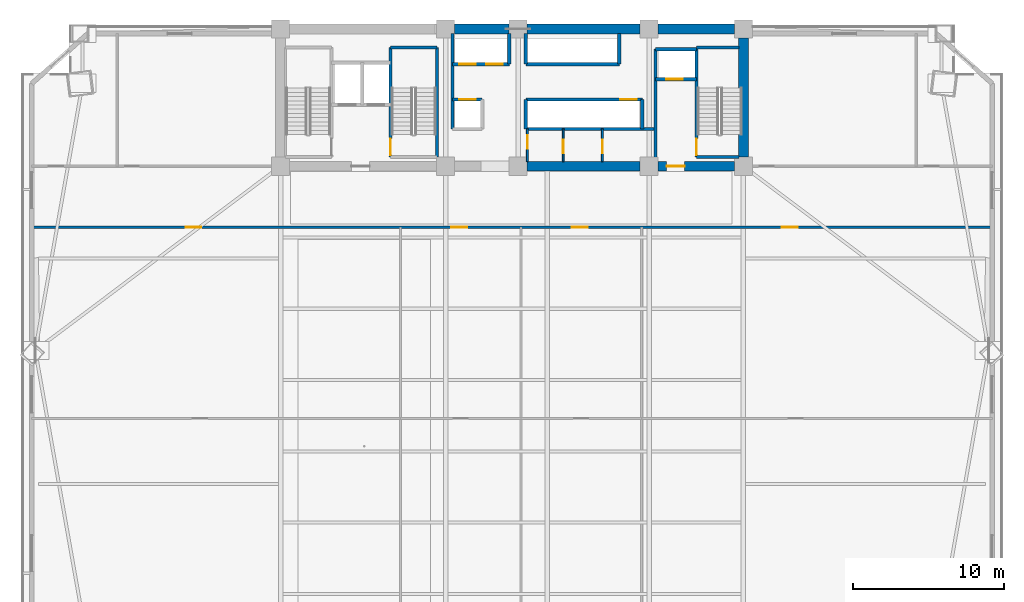
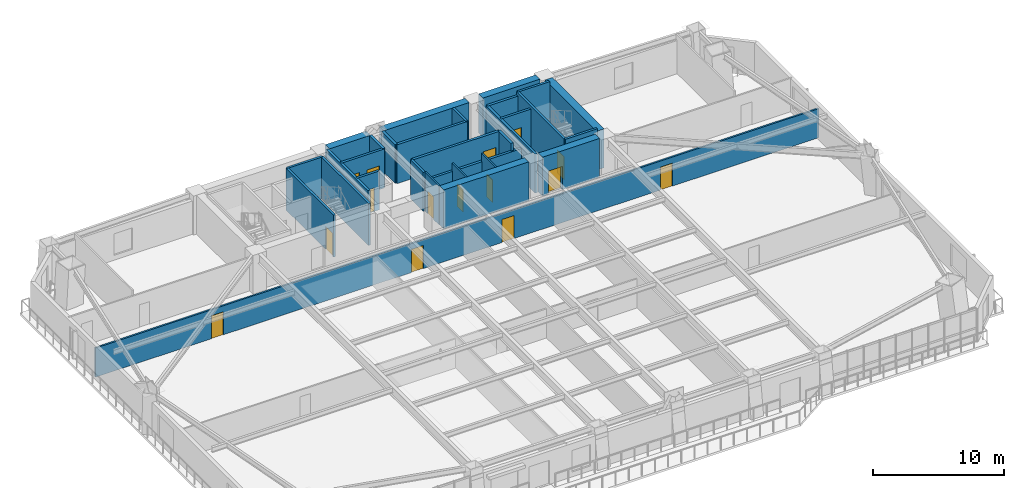
# One storey, part 10 of 17: 30 walls, 15 doors, 15 openings.
"""IFC4 building model written with IfcOpenShell, lengths in metres."""

from ifc_helpers import new_model, si_unit, direction, frame, frame_2d, origin, place, context, subcontext, project, spatial, rectangle, extrude, source, transform, mapped, material, layer, layer_set, type_object, element, fill, save


model = new_model("IFC4")

# Units and contexts
model_context = context("Model", 3, precision=1e-05, world=origin(), true_north=direction((0.0, 1.0)))
body_context = subcontext(model_context, "Body", "Model", "MODEL_VIEW")
ifc_project = project(units=[si_unit("LENGTHUNIT", "METRE"), si_unit("AREAUNIT", "SQUARE_METRE"), si_unit("VOLUMEUNIT", "CUBIC_METRE"), si_unit("PLANEANGLEUNIT", "RADIAN"), si_unit("MASSUNIT", "GRAM", prefix="KILO")], contexts=[model_context])

# Site, building, storey
site_placement = place(None, origin())
site = spatial("IfcSite", under=ifc_project, at=site_placement, CompositionType="ELEMENT")
building_placement = place(site_placement, origin())
building = spatial("IfcBuilding", under=site, at=building_placement, Name="Giltprow Tower", CompositionType="ELEMENT")
storey_placement = place(building_placement, frame((0.0, 0.0, 44.89990234375)))
storey = spatial("IfcBuildingStorey", under=building, at=storey_placement, Name="L11", CompositionType="ELEMENT", Elevation=44.89990234375)

# Wall, openings, doors
ifc_material_1 = material(Name="Gypsum stud partition", Category="gypsum")
ifc_layer_1 = layer(ifc_material_1, 0.14990234375, Name="Gypsum stud partition")
ifc_layer_set_1 = layer_set([ifc_layer_1], Name="Gypsum stud partition")
wall_type_1 = type_object("IfcWallType", Name="IW-CORR-150", PredefinedType="PARTITIONING", material=ifc_layer_set_1)
wall_1_placement = place(storey_placement, frame((3.3349609375, 33.39990234375, 0.0), z_axis=(0.0, 0.0, 1.0), x_axis=(1.0, 0.0, 0.0)))
wall_1 = element("IfcWall", 1, at=wall_1_placement, inside=storey, type_object=wall_type_1, Name="L11 Office Loop Corridor Wall", PredefinedType="PARTITIONING", context=body_context, shape_type="SweptSolid", body=[
    extrude(rectangle(XDim=63.72998046875, YDim=0.14990234375, at=frame_2d((31.864990234375, 0.0))), origin(), (0.0, 0.0, 1.0), 2.705078125),
])
opening_1_placement = place(wall_1_placement, frame((10.212890625, 0.0, 0.0)))
opening_1 = element("IfcOpeningElement", 2, at=opening_1_placement, cuts=wall_1, Name="Opening ID31", PredefinedType="OPENING", context=body_context, shape_type="SweptSolid", body=[
    extrude(rectangle(XDim=1.050048828125, YDim=2.14990234375, at=frame_2d((0.52490234375, 1.074951171875))), frame((0.0, 0.0849609375, 0.0), z_axis=(0.0, -1.0, 0.0), x_axis=(1.0, 0.0, 0.0)), (0.0, 0.0, 1.0), 0.169921875),
])
opening_2_placement = place(wall_1_placement, frame((27.8310546875, 0.0, 0.0)))
opening_2 = element("IfcOpeningElement", 3, at=opening_2_placement, cuts=wall_1, Name="Opening ID31", PredefinedType="OPENING", context=body_context, shape_type="SweptSolid", body=[
    extrude(rectangle(XDim=1.050048828125, YDim=2.14990234375, at=frame_2d((0.52490234375, 1.074951171875))), frame((0.0, 0.0849609375, 0.0), z_axis=(0.0, -1.0, 0.0), x_axis=(1.0, 0.0, 0.0)), (0.0, 0.0, 1.0), 0.169921875),
])
opening_3_placement = place(wall_1_placement, frame((35.8310546875, 0.0, 0.0)))
opening_3 = element("IfcOpeningElement", 4, at=opening_3_placement, cuts=wall_1, Name="Opening ID31", PredefinedType="OPENING", context=body_context, shape_type="SweptSolid", body=[
    extrude(rectangle(XDim=1.050048828125, YDim=2.14990234375, at=frame_2d((0.52490234375, 1.074951171875))), frame((0.0, 0.0849609375, 0.0), z_axis=(0.0, -1.0, 0.0), x_axis=(1.0, 0.0, 0.0)), (0.0, 0.0, 1.0), 0.169921875),
])
opening_4_placement = place(wall_1_placement, frame((49.762939453125, 0.0, 0.0)))
opening_4 = element("IfcOpeningElement", 5, at=opening_4_placement, cuts=wall_1, Name="Opening ID31", PredefinedType="OPENING", context=body_context, shape_type="SweptSolid", body=[
    extrude(rectangle(XDim=1.050048828125, YDim=2.14990234375, at=frame_2d((0.52490234375, 1.074951171875))), frame((0.0, 0.0849609375, 0.0), z_axis=(0.0, -1.0, 0.0), x_axis=(1.0, 0.0, 0.0)), (0.0, 0.0, 1.0), 0.169921875),
])
ifc_material_2 = material(Name="Engineered timber", Category="wood")
door_type_1 = type_object("IfcDoorType", Name="DR-SUITE-1050", OperationType="SINGLE_SWING_LEFT", PredefinedType="DOOR", material=ifc_material_2)
shared_shape_1 = source(origin(), body_context, "Body", "SweptSolid", [
    extrude(rectangle(XDim=1.050048828125, YDim=2.14990234375, at=frame_2d((0.52490234375, 1.074951171875))), frame((0.0, 0.02490234375, 0.0), z_axis=(0.0, -1.0, 0.0), x_axis=(1.0, 0.0, 0.0)), (0.0, 0.0, 1.0), 0.050048828125),
])
door_1_placement = place(opening_1_placement, origin())
door_1 = element("IfcDoor", 6, at=door_1_placement, inside=storey, type_object=door_type_1, Name="L11 Suite Reception Foyer Door", OperationType="SINGLE_SWING_RIGHT", OverallHeight=2.14990234375, OverallWidth=1.050048828125, PredefinedType="DOOR", context=body_context, shape_type="MappedRepresentation", body=[
    mapped(shared_shape_1, transform((0.0, 0.0, 0.0), x_axis=(1.0, 0.0, 0.0), y_axis=(0.0, 1.0, 0.0), z_axis=(0.0, 0.0, 1.0), scale=1.0)),
])
fill(opening_1, door_1)
door_2_placement = place(opening_2_placement, origin())
door_2 = element("IfcDoor", 7, at=door_2_placement, inside=storey, type_object=door_type_1, Name="L11 Suite Reception Foyer Door", OperationType="SINGLE_SWING_RIGHT", OverallHeight=2.14990234375, OverallWidth=1.050048828125, PredefinedType="DOOR", context=body_context, shape_type="MappedRepresentation", body=[
    mapped(shared_shape_1, transform((0.0, 0.0, 0.0), x_axis=(1.0, 0.0, 0.0), y_axis=(0.0, 1.0, 0.0), z_axis=(0.0, 0.0, 1.0), scale=1.0)),
])
fill(opening_2, door_2)
door_3_placement = place(opening_3_placement, origin())
door_3 = element("IfcDoor", 8, at=door_3_placement, inside=storey, type_object=door_type_1, Name="L11 Suite Reception Foyer Door", OperationType="SINGLE_SWING_RIGHT", OverallHeight=2.14990234375, OverallWidth=1.050048828125, PredefinedType="DOOR", context=body_context, shape_type="MappedRepresentation", body=[
    mapped(shared_shape_1, transform((0.0, 0.0, 0.0), x_axis=(1.0, 0.0, 0.0), y_axis=(0.0, 1.0, 0.0), z_axis=(0.0, 0.0, 1.0), scale=1.0)),
])
fill(opening_3, door_3)
door_4_placement = place(opening_4_placement, origin())
door_4 = element("IfcDoor", 9, at=door_4_placement, inside=storey, type_object=door_type_1, Name="L11 Suite Reception Foyer Door", OperationType="SINGLE_SWING_RIGHT", OverallHeight=2.14990234375, OverallWidth=1.050048828125, PredefinedType="DOOR", context=body_context, shape_type="MappedRepresentation", body=[
    mapped(shared_shape_1, transform((0.0, 0.0, 0.0), x_axis=(1.0, 0.0, 0.0), y_axis=(0.0, 1.0, 0.0), z_axis=(0.0, 0.0, 1.0), scale=1.0)),
])
fill(opening_4, door_4)

# Wall, opening, door
ifc_material_3 = material(Name="Concrete C40", Category="concrete")
ifc_layer_2 = layer(ifc_material_3, 0.219970703125, Name="Concrete C40")
ifc_layer_set_2 = layer_set([ifc_layer_2], Name="Concrete C40")
wall_type_2 = type_object("IfcWallType", Name="IW-SHAFT-220", PredefinedType="SOLIDWALL", material=ifc_layer_set_2)
wall_2_placement = place(storey_placement, frame((44.719970703125, 43.219970703125, 0.0), z_axis=(0.0, 0.0, 1.0), x_axis=(1.0, 0.0, 0.0)))
wall_2 = element("IfcWall", 10, at=wall_2_placement, inside=storey, type_object=wall_type_2, Name="L11 FFL2 Front Shaft Wall", PredefinedType="SOLIDWALL", context=body_context, shape_type="SweptSolid", body=[
    extrude(rectangle(XDim=2.719970703125, YDim=0.219970703125, at=frame_2d((1.35986328125, 0.0))), origin(), (0.0, 0.0, 1.0), 3.6201171875),
])
opening_5_placement = place(wall_2_placement, frame((0.699951171875, 0.0, 0.0)))
opening_5 = element("IfcOpeningElement", 11, at=opening_5_placement, cuts=wall_2, Name="Opening LD-11", PredefinedType="OPENING", context=body_context, shape_type="SweptSolid", body=[
    extrude(rectangle(XDim=1.10009765625, YDim=2.199951171875, at=frame_2d((0.550048828125, 1.10009765625))), frame((0.0, 0.119873046875, 0.0), z_axis=(0.0, -1.0, 0.0), x_axis=(1.0, 0.0, 0.0)), (0.0, 0.0, 1.0), 0.239990234375),
])
ifc_material_4 = material(Name="Stainless steel", Category="steel")
door_type_2 = type_object("IfcDoorType", Name="DR-LIFT-LD1100", OperationType="SLIDING_TO_LEFT", PredefinedType="DOOR", material=ifc_material_4)
shared_shape_2 = source(origin(), body_context, "Body", "SweptSolid", [
    extrude(rectangle(XDim=1.10009765625, YDim=2.199951171875, at=frame_2d((0.550048828125, 1.10009765625))), frame((0.0, 0.02490234375, 0.0), z_axis=(0.0, -1.0, 0.0), x_axis=(1.0, 0.0, 0.0)), (0.0, 0.0, 1.0), 0.050048828125),
])
door_5_placement = place(opening_5_placement, origin())
door_5 = element("IfcDoor", 12, at=door_5_placement, inside=storey, type_object=door_type_2, Name="L11 FFL2 Landing Door", OperationType="SLIDING_TO_LEFT", OverallHeight=2.199951171875, OverallWidth=1.10009765625, PredefinedType="DOOR", context=body_context, shape_type="MappedRepresentation", body=[
    mapped(shared_shape_2, transform((0.0, 0.0, 0.0), x_axis=(1.0, 0.0, 0.0), y_axis=(0.0, 1.0, 0.0), z_axis=(0.0, 0.0, 1.0), scale=1.0)),
])
fill(opening_5, door_5)

# Walls
wall_3_placement = place(storey_placement, frame((44.719970703125, 45.219970703125, 0.0), z_axis=(0.0, 0.0, 1.0), x_axis=(1.0, 0.0, 0.0)))
element("IfcWall", 13, at=wall_3_placement, inside=storey, type_object=wall_type_2, Name="L11 FFL2 Back Shaft Wall", PredefinedType="SOLIDWALL", context=body_context, shape_type="SweptSolid", body=[
    extrude(rectangle(XDim=2.719970703125, YDim=0.219970703125, at=frame_2d((1.35986328125, 0.0))), origin(), (0.0, 0.0, 1.0), 3.6201171875),
])
wall_4_placement = place(storey_placement, frame((44.719970703125, 37.7548828125, 0.0), z_axis=(0.0, 0.0, 1.0), x_axis=(0.0, 1.0, 0.0)))
element("IfcWall", 14, at=wall_4_placement, inside=storey, type_object=wall_type_2, Name="L11 East Firefighting Lobby West Wall", PredefinedType="SOLIDWALL", context=body_context, shape_type="SweptSolid", body=[
    extrude(rectangle(XDim=7.465087890625, YDim=0.219970703125, at=frame_2d((3.732421875, 0.0))), origin(), (0.0, 0.0, 1.0), 3.6201171875),
])

# Wall, openings, doors
wall_5_placement = place(storey_placement, frame((31.25, 44.219970703125, 0.0), z_axis=(0.0, 0.0, 1.0), x_axis=(1.0, 0.0, 0.0)))
wall_5 = element("IfcWall", 15, at=wall_5_placement, inside=storey, type_object=wall_type_2, Name="L11 North West Lift Shaft Front Wall", PredefinedType="SOLIDWALL", context=body_context, shape_type="SweptSolid", body=[
    extrude(rectangle(XDim=3.77001953125, YDim=0.219970703125, at=frame_2d((1.885009765625, 0.0))), origin(), (0.0, 0.0, 1.0), 3.6201171875),
])
opening_6_placement = place(wall_5_placement, frame((0.4599609375, 0.0, 0.0)))
opening_6 = element("IfcOpeningElement", 16, at=opening_6_placement, cuts=wall_5, Name="Opening LD-11", PredefinedType="OPENING", context=body_context, shape_type="SweptSolid", body=[
    extrude(rectangle(XDim=1.10009765625, YDim=2.199951171875, at=frame_2d((0.550048828125, 1.10009765625))), frame((0.0, 0.119873046875, 0.0), z_axis=(0.0, -1.0, 0.0), x_axis=(1.0, 0.0, 0.0)), (0.0, 0.0, 1.0), 0.239990234375),
])
opening_7_placement = place(wall_5_placement, frame((2.239990234375, 0.0, 0.0)))
opening_7 = element("IfcOpeningElement", 17, at=opening_7_placement, cuts=wall_5, Name="Opening LD-11", PredefinedType="OPENING", context=body_context, shape_type="SweptSolid", body=[
    extrude(rectangle(XDim=1.10009765625, YDim=2.199951171875, at=frame_2d((0.550048828125, 1.10009765625))), frame((0.0, 0.119873046875, 0.0), z_axis=(0.0, -1.0, 0.0), x_axis=(1.0, 0.0, 0.0)), (0.0, 0.0, 1.0), 0.239990234375),
])
door_6_placement = place(opening_6_placement, origin())
door_6 = element("IfcDoor", 18, at=door_6_placement, inside=storey, type_object=door_type_2, Name="L11 PL-L1 Landing Door", OperationType="SLIDING_TO_LEFT", OverallHeight=2.199951171875, OverallWidth=1.10009765625, PredefinedType="DOOR", context=body_context, shape_type="MappedRepresentation", body=[
    mapped(shared_shape_2, transform((0.0, 0.0, 0.0), x_axis=(1.0, 0.0, 0.0), y_axis=(0.0, 1.0, 0.0), z_axis=(0.0, 0.0, 1.0), scale=1.0)),
])
fill(opening_6, door_6)
door_7_placement = place(opening_7_placement, origin())
door_7 = element("IfcDoor", 19, at=door_7_placement, inside=storey, type_object=door_type_2, Name="L11 PL-L2 Landing Door", OperationType="SLIDING_TO_LEFT", OverallHeight=2.199951171875, OverallWidth=1.10009765625, PredefinedType="DOOR", context=body_context, shape_type="MappedRepresentation", body=[
    mapped(shared_shape_2, transform((0.0, 0.0, 0.0), x_axis=(1.0, 0.0, 0.0), y_axis=(0.0, 1.0, 0.0), z_axis=(0.0, 0.0, 1.0), scale=1.0)),
])
fill(opening_7, door_7)

# Walls
wall_6_placement = place(storey_placement, frame((36.1201171875, 44.219970703125, 0.0), z_axis=(0.0, 0.0, 1.0), x_axis=(1.0, 0.0, 0.0)))
element("IfcWall", 20, at=wall_6_placement, inside=storey, type_object=wall_type_2, Name="L11 North East Lift Shaft Front Wall", PredefinedType="SOLIDWALL", context=body_context, shape_type="SweptSolid", body=[
    extrude(rectangle(XDim=6.199951171875, YDim=0.219970703125, at=frame_2d((3.10009765625, 0.0))), origin(), (0.0, 0.0, 1.0), 3.6201171875),
])
for number, where, z_axis, x_axis, name in (
    (21, (35.02001953125, 44.219970703125, 0.0), (0.0, 0.0, 1.0), (0.0, 1.0, 0.0), "L11 North West Lift Shaft East Closure"),
    (22, (36.1201171875, 44.219970703125, 0.0), (0.0, 0.0, 1.0), (0.0, 1.0, 0.0), "L11 North East Lift Shaft West Closure"),
    (23, (42.320068359375, 44.219970703125, 0.0), (0.0, 0.0, 1.0), (0.0, 1.0, 0.0), "L11 North East Lift Shaft East Closure"),
):
    element("IfcWall", number, at=place(storey_placement, frame(where, z_axis=z_axis, x_axis=x_axis)), inside=storey, type_object=wall_type_2, Name=name, PredefinedType="SOLIDWALL", context=body_context, shape_type="SweptSolid", body=[
        extrude(rectangle(XDim=2.025146484375, YDim=0.219970703125, at=frame_2d((1.0126953125, 0.0))), origin(), (0.0, 0.0, 1.0), 3.6201171875),
    ])

# Wall, opening, door
wall_7_placement = place(storey_placement, frame((31.25, 41.8798828125, 0.0), z_axis=(0.0, 0.0, 1.0), x_axis=(1.0, 0.0, 0.0)))
wall_7 = element("IfcWall", 24, at=wall_7_placement, inside=storey, type_object=wall_type_2, Name="L11 South West Lift Shaft Front Wall", PredefinedType="SOLIDWALL", context=body_context, shape_type="SweptSolid", body=[
    extrude(rectangle(XDim=1.969970703125, YDim=0.219970703125, at=frame_2d((0.98486328125, 0.0))), origin(), (0.0, 0.0, 1.0), 3.6201171875),
])
opening_8_placement = place(wall_7_placement, frame((0.4599609375, 0.0, 0.0)))
opening_8 = element("IfcOpeningElement", 25, at=opening_8_placement, cuts=wall_7, Name="Opening LD-11", PredefinedType="OPENING", context=body_context, shape_type="SweptSolid", body=[
    extrude(rectangle(XDim=1.10009765625, YDim=2.199951171875, at=frame_2d((0.550048828125, 1.10009765625))), frame((0.0, 0.119873046875, 0.0), z_axis=(0.0, -1.0, 0.0), x_axis=(1.0, 0.0, 0.0)), (0.0, 0.0, 1.0), 0.239990234375),
])
door_8_placement = place(opening_8_placement, origin())
door_8 = element("IfcDoor", 26, at=door_8_placement, inside=storey, type_object=door_type_2, Name="L11 PL-L3 Landing Door", OperationType="SLIDING_TO_LEFT", OverallHeight=2.199951171875, OverallWidth=1.10009765625, PredefinedType="DOOR", context=body_context, shape_type="MappedRepresentation", body=[
    mapped(shared_shape_2, transform((0.0, 0.0, 0.0), x_axis=(1.0, 0.0, 0.0), y_axis=(0.0, 1.0, 0.0), z_axis=(0.0, 0.0, 1.0), scale=1.0)),
])
fill(opening_8, door_8)

wall_8_placement = place(storey_placement, frame((36.1201171875, 41.8798828125, 0.0), z_axis=(0.0, 0.0, 1.0), x_axis=(1.0, 0.0, 0.0)))
wall_8 = element("IfcWall", 27, at=wall_8_placement, inside=storey, type_object=wall_type_2, Name="L11 South East Lift Shaft Front Wall", PredefinedType="SOLIDWALL", context=body_context, shape_type="SweptSolid", body=[
    extrude(rectangle(XDim=7.72998046875, YDim=0.219970703125, at=frame_2d((3.864990234375, 0.0))), origin(), (0.0, 0.0, 1.0), 3.6201171875),
])
opening_9_placement = place(wall_8_placement, frame((6.260009765625, 0.0, 0.0)))
opening_9 = element("IfcOpeningElement", 28, at=opening_9_placement, cuts=wall_8, Name="Opening LD-11", PredefinedType="OPENING", context=body_context, shape_type="SweptSolid", body=[
    extrude(rectangle(XDim=1.10009765625, YDim=2.199951171875, at=frame_2d((0.550048828125, 1.10009765625))), frame((0.0, 0.119873046875, 0.0), z_axis=(0.0, -1.0, 0.0), x_axis=(1.0, 0.0, 0.0)), (0.0, 0.0, 1.0), 0.239990234375),
])
door_9_placement = place(opening_9_placement, origin())
door_9 = element("IfcDoor", 29, at=door_9_placement, inside=storey, type_object=door_type_2, Name="L11 PL-L4 Landing Door", OperationType="SLIDING_TO_LEFT", OverallHeight=2.199951171875, OverallWidth=1.10009765625, PredefinedType="DOOR", context=body_context, shape_type="MappedRepresentation", body=[
    mapped(shared_shape_2, transform((0.0, 0.0, 0.0), x_axis=(1.0, 0.0, 0.0), y_axis=(0.0, 1.0, 0.0), z_axis=(0.0, 0.0, 1.0), scale=1.0)),
])
fill(opening_9, door_9)

# Walls
wall_9_placement = place(storey_placement, frame((36.1201171875, 39.919921875, 0.0), z_axis=(0.0, 0.0, 1.0), x_axis=(1.0, 0.0, 0.0)))
element("IfcWall", 30, at=wall_9_placement, inside=storey, type_object=wall_type_2, Name="L11 Express South Shaft Back Wall", PredefinedType="SOLIDWALL", context=body_context, shape_type="SweptSolid", body=[
    extrude(rectangle(XDim=8.599853515625, YDim=0.219970703125, at=frame_2d((4.2998046875, 0.0))), origin(), (0.0, 0.0, 1.0), 2.905029296875),
])
wall_10_placement = place(storey_placement, frame((36.1201171875, 39.919921875, 0.0), z_axis=(0.0, 0.0, 1.0), x_axis=(0.0, 1.0, 0.0)))
element("IfcWall", 31, at=wall_10_placement, inside=storey, type_object=wall_type_2, Name="L11 Express South Shaft West Closure", PredefinedType="SOLIDWALL", context=body_context, shape_type="SweptSolid", body=[
    extrude(rectangle(XDim=1.9599609375, YDim=0.219970703125, at=frame_2d((0.97998046875, 0.0))), origin(), (0.0, 0.0, 1.0), 3.6201171875),
])
wall_11_placement = place(storey_placement, frame((31.25, 39.919921875, 0.0), z_axis=(0.0, 0.0, 1.0), x_axis=(0.0, 1.0, 0.0)))
element("IfcWall", 32, at=wall_11_placement, inside=storey, type_object=wall_type_2, Name="L11 Lift Bank West Closure", PredefinedType="SOLIDWALL", context=body_context, shape_type="SweptSolid", body=[
    extrude(rectangle(XDim=6.3251953125, YDim=0.219970703125, at=frame_2d((3.16259765625, 0.0))), origin(), (0.0, 0.0, 1.0), 3.6201171875),
])
wall_12_placement = place(storey_placement, frame((43.85009765625, 39.919921875, 0.0), z_axis=(0.0, 0.0, 1.0), x_axis=(0.0, 1.0, 0.0)))
element("IfcWall", 33, at=wall_12_placement, inside=storey, type_object=wall_type_2, Name="L11 Lift Bank South-East Closure", PredefinedType="SOLIDWALL", context=body_context, shape_type="SweptSolid", body=[
    extrude(rectangle(XDim=1.9599609375, YDim=0.219970703125, at=frame_2d((0.97998046875, 0.0))), origin(), (0.0, 0.0, 1.0), 3.6201171875),
])

# Wall, opening, door
ifc_layer_3 = layer(ifc_material_3, 0.199951171875, Name="Concrete C40")
ifc_layer_set_3 = layer_set([ifc_layer_3], Name="Concrete C40")
wall_type_3 = type_object("IfcWallType", Name="IW-STAIR-200", PredefinedType="SOLIDWALL", material=ifc_layer_set_3)
wall_13_placement = place(storey_placement, frame((27.139892578125, 38.070068359375, 0.0), z_axis=(0.0, 0.0, 1.0), x_axis=(0.0, 1.0, 0.0)))
wall_13 = element("IfcWall", 34, at=wall_13_placement, inside=storey, type_object=wall_type_3, Name="L11 Stair ST-2 West Bearing Wall", PredefinedType="SOLIDWALL", context=body_context, shape_type="SweptSolid", body=[
    extrude(rectangle(XDim=7.25, YDim=0.199951171875, at=frame_2d((3.625, 0.0))), origin(), (0.0, 0.0, 1.0), 3.900146484375),
])
opening_10_placement = place(wall_13_placement, frame((0.110107421875, 0.0, 0.0)))
opening_10 = element("IfcOpeningElement", 35, at=opening_10_placement, cuts=wall_13, Name="Opening ID33", PredefinedType="OPENING", context=body_context, shape_type="SweptSolid", body=[
    extrude(rectangle(XDim=1.10009765625, YDim=2.14990234375, at=frame_2d((0.550048828125, 1.074951171875))), frame((0.0, 0.10986328125, 0.0), z_axis=(0.0, -1.0, 0.0), x_axis=(1.0, 0.0, 0.0)), (0.0, 0.0, 1.0), 0.219970703125),
])
ifc_material_5 = material(Name="Steel fire leaf", Category="steel")
door_type_3 = type_object("IfcDoorType", Name="DR-STAIR-1100", OperationType="SINGLE_SWING_LEFT", PredefinedType="DOOR", material=ifc_material_5)
shared_shape_3 = source(origin(), body_context, "Body", "SweptSolid", [
    extrude(rectangle(XDim=1.10009765625, YDim=2.14990234375, at=frame_2d((0.550048828125, 1.074951171875))), frame((0.0, 0.02490234375, 0.0), z_axis=(0.0, -1.0, 0.0), x_axis=(1.0, 0.0, 0.0)), (0.0, 0.0, 1.0), 0.050048828125),
])
door_10_placement = place(opening_10_placement, origin())
door_10 = element("IfcDoor", 36, at=door_10_placement, inside=storey, type_object=door_type_3, Name="L11 Stair ST-2 Fire Door", OperationType="SINGLE_SWING_LEFT", OverallHeight=2.14990234375, OverallWidth=1.10009765625, PredefinedType="DOOR", context=body_context, shape_type="MappedRepresentation", body=[
    mapped(shared_shape_3, transform((0.0, 0.0, 0.0), x_axis=(1.0, 0.0, 0.0), y_axis=(0.0, 1.0, 0.0), z_axis=(0.0, 0.0, 1.0), scale=1.0)),
])
fill(opening_10, door_10)

# Walls
wall_14_placement = place(storey_placement, frame((30.219970703125, 38.070068359375, 0.0), z_axis=(0.0, 0.0, 1.0), x_axis=(0.0, 1.0, 0.0)))
element("IfcWall", 37, at=wall_14_placement, inside=storey, type_object=wall_type_3, Name="L11 Stair ST-2 East Bearing Wall", PredefinedType="SOLIDWALL", context=body_context, shape_type="SweptSolid", body=[
    extrude(rectangle(XDim=7.25, YDim=0.199951171875, at=frame_2d((3.625, 0.0))), origin(), (0.0, 0.0, 1.0), 3.900146484375),
])
wall_15_placement = place(storey_placement, frame((27.139892578125, 45.320068359375, 0.0), z_axis=(0.0, 0.0, 1.0), x_axis=(1.0, 0.0, 0.0)))
element("IfcWall", 38, at=wall_15_placement, inside=storey, type_object=wall_type_3, Name="L11 Stair ST-2 North Bearing Wall", PredefinedType="SOLIDWALL", context=body_context, shape_type="SweptSolid", body=[
    extrude(rectangle(XDim=3.080078125, YDim=0.199951171875, at=frame_2d((1.5400390625, 0.0))), origin(), (0.0, 0.0, 1.0), 3.900146484375),
])

# Wall, opening, door
wall_16_placement = place(storey_placement, frame((47.43994140625, 38.070068359375, 0.0), z_axis=(0.0, 0.0, 1.0), x_axis=(0.0, 1.0, 0.0)))
wall_16 = element("IfcWall", 39, at=wall_16_placement, inside=storey, type_object=wall_type_3, Name="L11 Stair ST-3 West Bearing Wall", PredefinedType="SOLIDWALL", context=body_context, shape_type="SweptSolid", body=[
    extrude(rectangle(XDim=7.25, YDim=0.199951171875, at=frame_2d((3.625, 0.0))), origin(), (0.0, 0.0, 1.0), 3.900146484375),
])
opening_11_placement = place(wall_16_placement, frame((0.110107421875, 0.0, 0.0)))
opening_11 = element("IfcOpeningElement", 40, at=opening_11_placement, cuts=wall_16, Name="Opening ID33", PredefinedType="OPENING", context=body_context, shape_type="SweptSolid", body=[
    extrude(rectangle(XDim=1.10009765625, YDim=2.14990234375, at=frame_2d((0.550048828125, 1.074951171875))), frame((0.0, 0.10986328125, 0.0), z_axis=(0.0, -1.0, 0.0), x_axis=(1.0, 0.0, 0.0)), (0.0, 0.0, 1.0), 0.219970703125),
])
door_11_placement = place(opening_11_placement, origin())
door_11 = element("IfcDoor", 41, at=door_11_placement, inside=storey, type_object=door_type_3, Name="L11 Stair ST-3 Fire Door", OperationType="SINGLE_SWING_RIGHT", OverallHeight=2.14990234375, OverallWidth=1.10009765625, PredefinedType="DOOR", context=body_context, shape_type="MappedRepresentation", body=[
    mapped(shared_shape_3, transform((0.0, 0.0, 0.0), x_axis=(1.0, 0.0, 0.0), y_axis=(0.0, 1.0, 0.0), z_axis=(0.0, 0.0, 1.0), scale=1.0)),
])
fill(opening_11, door_11)

# Walls
for number, where, z_axis, x_axis, name in (
    (42, (47.43994140625, 45.320068359375, 0.0), (0.0, 0.0, 1.0), (1.0, 0.0, 0.0), "L11 Stair ST-3 North Bearing Wall"),
    (43, (47.43994140625, 38.070068359375, 0.0), (0.0, 0.0, 1.0), (1.0, 0.0, 0.0), "L11 Stair ST-3 South Bearing Wall"),
):
    element("IfcWall", number, at=place(storey_placement, frame(where, z_axis=z_axis, x_axis=x_axis)), inside=storey, type_object=wall_type_3, Name=name, PredefinedType="SOLIDWALL", context=body_context, shape_type="SweptSolid", body=[
        extrude(rectangle(XDim=2.80517578125, YDim=0.199951171875, at=frame_2d((1.402587890625, 0.0))), origin(), (0.0, 0.0, 1.0), 3.900146484375),
    ])

# Wall, opening, door
ifc_material_6 = material(Name="Concrete C30", Category="concrete")
ifc_layer_4 = layer(ifc_material_6, 0.1298828125, Name="Concrete C30")
ifc_layer_set_4 = layer_set([ifc_layer_4], Name="Concrete C30")
wall_type_4 = type_object("IfcWallType", Name="IW-WET-130", PredefinedType="PARTITIONING", material=ifc_layer_set_4)
wall_17_placement = place(storey_placement, frame((36.219970703125, 37.7548828125, 0.0), z_axis=(0.0, 0.0, 1.0), x_axis=(0.0, 1.0, 0.0)))
wall_17 = element("IfcWall", 44, at=wall_17_placement, inside=storey, type_object=wall_type_4, Name="L11 Core Suite West Wall", PredefinedType="PARTITIONING", context=body_context, shape_type="SweptSolid", body=[
    extrude(rectangle(XDim=2.1650390625, YDim=0.1298828125, at=frame_2d((1.08251953125, 0.0))), origin(), (0.0, 0.0, 1.0), 3.6201171875),
])
opening_12_placement = place(wall_17_placement, frame((0.85498046875, 0.0, 0.0)))
opening_12 = element("IfcOpeningElement", 45, at=opening_12_placement, cuts=wall_17, Name="Opening ID35", PredefinedType="OPENING", context=body_context, shape_type="SweptSolid", body=[
    extrude(rectangle(XDim=0.89990234375, YDim=2.10009765625, at=frame_2d((0.449951171875, 1.050048828125))), frame((0.0, 0.074951171875, 0.0), z_axis=(0.0, -1.0, 0.0), x_axis=(1.0, 0.0, 0.0)), (0.0, 0.0, 1.0), 0.14990234375),
])
door_type_4 = type_object("IfcDoorType", Name="DR-SHAFT-900", OperationType="SINGLE_SWING_LEFT", PredefinedType="DOOR", material=ifc_material_5)
shared_shape_4 = source(origin(), body_context, "Body", "SweptSolid", [
    extrude(rectangle(XDim=0.89990234375, YDim=2.10009765625, at=frame_2d((0.449951171875, 1.050048828125))), frame((0.0, 0.02490234375, 0.0), z_axis=(0.0, -1.0, 0.0), x_axis=(1.0, 0.0, 0.0)), (0.0, 0.0, 1.0), 0.050048828125),
])
door_12_placement = place(opening_12_placement, origin())
door_12 = element("IfcDoor", 46, at=door_12_placement, inside=storey, type_object=door_type_4, Name="L11 Core Washroom 1 Door", OperationType="SINGLE_SWING_RIGHT", OverallHeight=2.10009765625, OverallWidth=0.89990234375, PredefinedType="DOOR", context=body_context, shape_type="MappedRepresentation", body=[
    mapped(shared_shape_4, transform((0.0, 0.0, 0.0), x_axis=(1.0, 0.0, 0.0), y_axis=(0.0, 1.0, 0.0), z_axis=(0.0, 0.0, 1.0), scale=1.0)),
])
fill(opening_12, door_12)

wall_18_placement = place(storey_placement, frame((38.60009765625, 37.7548828125, 0.0), z_axis=(0.0, 0.0, 1.0), x_axis=(0.0, 1.0, 0.0)))
wall_18 = element("IfcWall", 47, at=wall_18_placement, inside=storey, type_object=wall_type_4, Name="L11 Core Suite Divider 1", PredefinedType="PARTITIONING", context=body_context, shape_type="SweptSolid", body=[
    extrude(rectangle(XDim=2.1650390625, YDim=0.1298828125, at=frame_2d((1.08251953125, 0.0))), origin(), (0.0, 0.0, 1.0), 3.6201171875),
])
opening_13_placement = place(wall_18_placement, frame((0.56494140625, 0.0, 0.0)))
opening_13 = element("IfcOpeningElement", 48, at=opening_13_placement, cuts=wall_18, Name="Opening ID35", PredefinedType="OPENING", context=body_context, shape_type="SweptSolid", body=[
    extrude(rectangle(XDim=0.89990234375, YDim=2.10009765625, at=frame_2d((0.449951171875, 1.050048828125))), frame((0.0, 0.074951171875, 0.0), z_axis=(0.0, -1.0, 0.0), x_axis=(1.0, 0.0, 0.0)), (0.0, 0.0, 1.0), 0.14990234375),
])
door_13_placement = place(opening_13_placement, origin())
door_13 = element("IfcDoor", 49, at=door_13_placement, inside=storey, type_object=door_type_4, Name="L11 Core Stationery Room Door", OperationType="SINGLE_SWING_RIGHT", OverallHeight=2.10009765625, OverallWidth=0.89990234375, PredefinedType="DOOR", context=body_context, shape_type="MappedRepresentation", body=[
    mapped(shared_shape_4, transform((0.0, 0.0, 0.0), x_axis=(1.0, 0.0, 0.0), y_axis=(0.0, 1.0, 0.0), z_axis=(0.0, 0.0, 1.0), scale=1.0)),
])
fill(opening_13, door_13)

wall_19_placement = place(storey_placement, frame((41.199951171875, 37.7548828125, 0.0), z_axis=(0.0, 0.0, 1.0), x_axis=(0.0, 1.0, 0.0)))
wall_19 = element("IfcWall", 50, at=wall_19_placement, inside=storey, type_object=wall_type_4, Name="L11 Core Suite Divider 2", PredefinedType="PARTITIONING", context=body_context, shape_type="SweptSolid", body=[
    extrude(rectangle(XDim=2.1650390625, YDim=0.1298828125, at=frame_2d((1.08251953125, 0.0))), origin(), (0.0, 0.0, 1.0), 3.6201171875),
])
opening_14_placement = place(wall_19_placement, frame((0.56494140625, 0.0, 0.0)))
opening_14 = element("IfcOpeningElement", 51, at=opening_14_placement, cuts=wall_19, Name="Opening ID35", PredefinedType="OPENING", context=body_context, shape_type="SweptSolid", body=[
    extrude(rectangle(XDim=0.89990234375, YDim=2.10009765625, at=frame_2d((0.449951171875, 1.050048828125))), frame((0.0, 0.074951171875, 0.0), z_axis=(0.0, -1.0, 0.0), x_axis=(1.0, 0.0, 0.0)), (0.0, 0.0, 1.0), 0.14990234375),
])
door_14_placement = place(opening_14_placement, origin())
door_14 = element("IfcDoor", 52, at=door_14_placement, inside=storey, type_object=door_type_4, Name="L11 Core Archive Room Door", OperationType="SINGLE_SWING_LEFT", OverallHeight=2.10009765625, OverallWidth=0.89990234375, PredefinedType="DOOR", context=body_context, shape_type="MappedRepresentation", body=[
    mapped(shared_shape_4, transform((0.0, 0.0, 0.0), x_axis=(1.0, 0.0, 0.0), y_axis=(0.0, 1.0, 0.0), z_axis=(0.0, 0.0, 1.0), scale=1.0)),
])
fill(opening_14, door_14)

# Walls
ifc_material_7 = material(Name="Concrete C60", Category="concrete")
ifc_layer_5 = layer(ifc_material_7, 0.64990234375, Name="Concrete C60")
ifc_layer_set_5 = layer_set([ifc_layer_5], Name="Concrete C60")
wall_type_5 = type_object("IfcWallType", Name="SW-EXT-650-C60", PredefinedType="SHEAR", material=ifc_layer_set_5)
wall_20_placement = place(storey_placement, frame((31.39990234375, 46.550048828125, 0.0), z_axis=(0.0, 0.0, 1.0), x_axis=(1.0, 0.0, 0.0)))
element("IfcWall", 53, at=wall_20_placement, inside=storey, type_object=wall_type_5, Name="L11 North Rear Core Shear Wall 2", PredefinedType="SHEAR", context=body_context, shape_type="SweptSolid", body=[
    extrude(rectangle(XDim=3.60009765625, YDim=0.64990234375, at=frame_2d((1.800048828125, 0.0))), origin(), (0.0, 0.0, 1.0), 3.6201171875),
])
wall_21_placement = place(storey_placement, frame((36.199951171875, 46.550048828125, 0.0), z_axis=(0.0, 0.0, 1.0), x_axis=(1.0, 0.0, 0.0)))
element("IfcWall", 54, at=wall_21_placement, inside=storey, type_object=wall_type_5, Name="L11 North Rear Core Shear Wall 3", PredefinedType="SHEAR", context=body_context, shape_type="SweptSolid", body=[
    extrude(rectangle(XDim=7.5, YDim=0.64990234375, at=frame_2d((3.75, 0.0))), origin(), (0.0, 0.0, 1.0), 3.6201171875),
])
wall_22_placement = place(storey_placement, frame((44.89990234375, 46.550048828125, 0.0), z_axis=(0.0, 0.0, 1.0), x_axis=(1.0, 0.0, 0.0)))
element("IfcWall", 55, at=wall_22_placement, inside=storey, type_object=wall_type_5, Name="L11 North Rear Core Shear Wall 4", PredefinedType="SHEAR", context=body_context, shape_type="SweptSolid", body=[
    extrude(rectangle(XDim=5.050048828125, YDim=0.64990234375, at=frame_2d((2.52490234375, 0.0))), origin(), (0.0, 0.0, 1.0), 3.6201171875),
])
ifc_layer_6 = layer(ifc_material_7, 0.64990234375, Name="Concrete C60")
ifc_layer_set_6 = layer_set([ifc_layer_6], Name="Concrete C60")
wall_type_6 = type_object("IfcWallType", Name="SW-INT-650-C60", PredefinedType="SHEAR", material=ifc_layer_set_6)
wall_23_placement = place(storey_placement, frame((36.199951171875, 37.449951171875, 0.0), z_axis=(0.0, 0.0, 1.0), x_axis=(1.0, 0.0, 0.0)))
element("IfcWall", 56, at=wall_23_placement, inside=storey, type_object=wall_type_6, Name="L11 South Rear Core Shear Wall Mid-East", PredefinedType="SHEAR", context=body_context, shape_type="SweptSolid", body=[
    extrude(rectangle(XDim=7.5, YDim=0.64990234375, at=frame_2d((3.75, 0.0))), origin(), (0.0, 0.0, 1.0), 3.6201171875),
])

# Wall, opening, door
wall_24_placement = place(storey_placement, frame((44.89990234375, 37.449951171875, 0.0), z_axis=(0.0, 0.0, 1.0), x_axis=(1.0, 0.0, 0.0)))
wall_24 = element("IfcWall", 57, at=wall_24_placement, inside=storey, type_object=wall_type_6, Name="L11 South Rear Core Shear Wall East", PredefinedType="SHEAR", context=body_context, shape_type="SweptSolid", body=[
    extrude(rectangle(XDim=5.050048828125, YDim=0.64990234375, at=frame_2d((2.52490234375, 0.0))), origin(), (0.0, 0.0, 1.0), 3.6201171875),
])
opening_15_placement = place(wall_24_placement, frame((0.550048828125, 0.0, 0.0)))
opening_15 = element("IfcOpeningElement", 58, at=opening_15_placement, cuts=wall_24, Name="Opening ID19", PredefinedType="OPENING", context=body_context, shape_type="SweptSolid", body=[
    extrude(rectangle(XDim=1.199951171875, YDim=2.14990234375, at=frame_2d((0.60009765625, 1.074951171875))), frame((0.0, 0.3349609375, 0.0), z_axis=(0.0, -1.0, 0.0), x_axis=(1.0, 0.0, 0.0)), (0.0, 0.0, 1.0), 0.669921875),
])
door_type_5 = type_object("IfcDoorType", Name="DR-FFLOBBY-1200", OperationType="SINGLE_SWING_RIGHT", PredefinedType="DOOR", material=ifc_material_5)
shared_shape_5 = source(origin(), body_context, "Body", "SweptSolid", [
    extrude(rectangle(XDim=1.199951171875, YDim=2.14990234375, at=frame_2d((0.60009765625, 1.074951171875))), frame((0.0, 0.02490234375, 0.0), z_axis=(0.0, -1.0, 0.0), x_axis=(1.0, 0.0, 0.0)), (0.0, 0.0, 1.0), 0.050048828125),
])
door_15_placement = place(opening_15_placement, origin())
door_15 = element("IfcDoor", 59, at=door_15_placement, inside=storey, type_object=door_type_5, Name="L11 East Firefighting Lobby Entry Door", OperationType="SINGLE_SWING_RIGHT", OverallHeight=2.14990234375, OverallWidth=1.199951171875, PredefinedType="DOOR", context=body_context, shape_type="MappedRepresentation", body=[
    mapped(shared_shape_5, transform((0.0, 0.0, 0.0), x_axis=(1.0, 0.0, 0.0), y_axis=(0.0, 1.0, 0.0), z_axis=(0.0, 0.0, 1.0), scale=1.0)),
])
fill(opening_15, door_15)

# Wall
wall_25_placement = place(storey_placement, frame((50.550048828125, 38.050048828125, 0.0), z_axis=(0.0, 0.0, 1.0), x_axis=(0.0, 1.0, 0.0)))
element("IfcWall", 60, at=wall_25_placement, inside=storey, type_object=wall_type_6, Name="L11 E Rear Core Shear Wall", PredefinedType="SHEAR", context=body_context, shape_type="SweptSolid", body=[
    extrude(rectangle(XDim=7.89990234375, YDim=0.64990234375, at=frame_2d((3.949951171875, 0.0))), origin(), (0.0, 0.0, 1.0), 3.6201171875),
])

save(model, "model.ifc")
